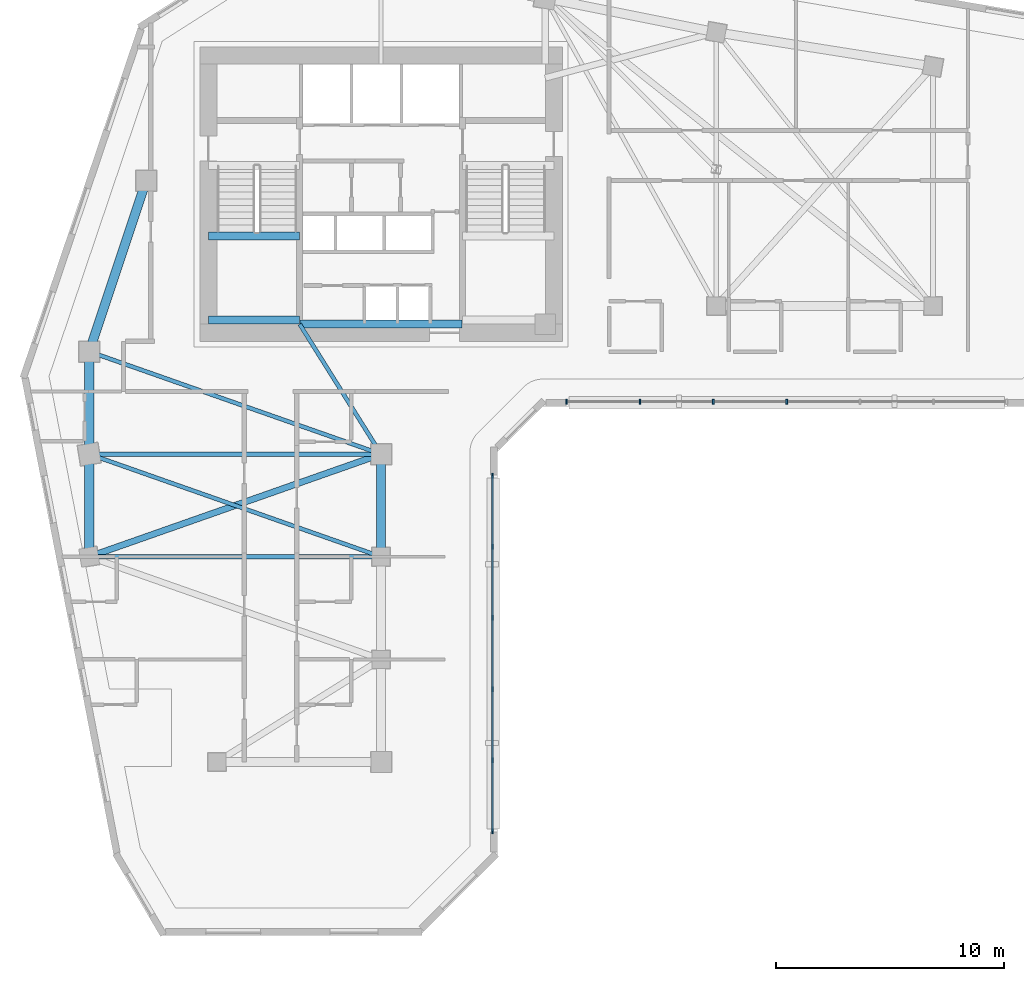
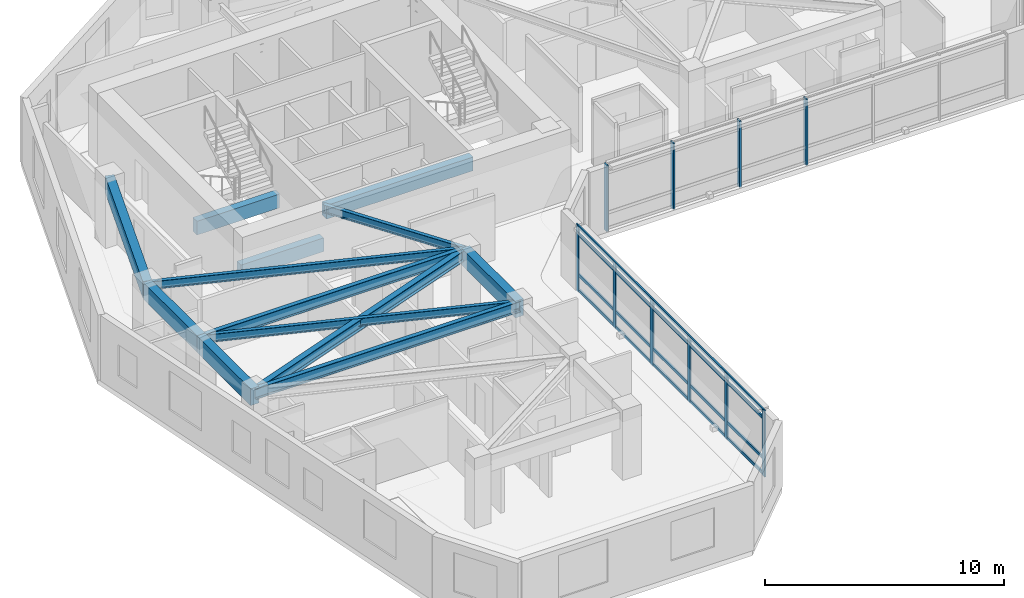
# One storey, part 2 of 14: 14 members, 13 beams, 2 elements without a shape of their own.
"""IFC4 building model written with IfcOpenShell, lengths in metres."""

from ifc_helpers import new_model, si_unit, direction, frame, origin, origin_2d, place, context, subcontext, project, spatial, rectangle, i_section, extrude, source, transform, mapped, material, material_profile, profile_set, type_object, element, aggregate, save


model = new_model("IFC4")

# Units and contexts
model_context = context("Model", 3, precision=1e-05, world=origin(), true_north=direction((0.0, 1.0)))
body_context = subcontext(model_context, "Body", "Model", "MODEL_VIEW")
ifc_project = project(units=[si_unit("LENGTHUNIT", "METRE"), si_unit("AREAUNIT", "SQUARE_METRE"), si_unit("VOLUMEUNIT", "CUBIC_METRE"), si_unit("PLANEANGLEUNIT", "RADIAN"), si_unit("MASSUNIT", "GRAM", prefix="KILO")], contexts=[model_context])

# Site, building, storey
site_placement = place(None, origin())
site = spatial("IfcSite", under=ifc_project, at=site_placement, CompositionType="ELEMENT")
building_placement = place(site_placement, origin())
building = spatial("IfcBuilding", under=site, at=building_placement, Name="Calvemar Wedge Station Tower", CompositionType="ELEMENT")
storey_placement = place(building_placement, frame((0.0, 0.0, 125.0)))
storey = spatial("IfcBuildingStorey", under=building, at=storey_placement, Name="L30", CompositionType="ELEMENT", Elevation=125.0)

# Beams
ifc_material_1 = material(Name="Concrete C60", Category="concrete")
ifc_material_profile_1 = material_profile(ifc_material_1, rectangle(XDim=0.39990234375, YDim=0.85009765625, at=origin_2d()), Name="RC400x850")
ifc_profile_set_1 = profile_set([ifc_material_profile_1], Name="Concrete C60")
beam_type_1 = type_object("IfcBeamType", Name="BM-SP1-850", PredefinedType="SPANDREL", material=ifc_profile_set_1)
shared_shape_1 = source(origin(), body_context, "Body", "SweptSolid", [
    extrude(rectangle(XDim=0.39990234375, YDim=0.85009765625, at=origin_2d()), origin(), (0.0, 0.0, 1.0), 7.90576171875),
])
beam_1_placement = place(storey_placement, frame((11.0, 33.0, 2.925048828125), z_axis=(0.316227766017, 0.948683298051, 0.0), x_axis=(-0.948683298051, 0.316227766017, 0.0)))
element("IfcBeam", 1, at=beam_1_placement, inside=storey, type_object=beam_type_1, Name="Storey L30 Spandrel T-NW1-T-NW2", PredefinedType="SPANDREL", context=body_context, shape_type="MappedRepresentation", body=[
    mapped(shared_shape_1, transform((0.0, 0.0, 0.0), scale=1.0)),
])
shared_shape_2 = source(origin(), body_context, "Body", "SweptSolid", [
    extrude(rectangle(XDim=0.39990234375, YDim=0.85009765625, at=origin_2d()), origin(), (0.0, 0.0, 1.0), 4.5),
])
for number, where, z_axis, x_axis, name in (
    (2, (11.0, 33.0, 2.925048828125), (0.0, -1.0, 0.0), (1.0, 0.0, 0.0), "Storey L30 Spandrel T-NW1-T-SW1"),
    (3, (11.0, 28.5, 2.925048828125), (0.0, -1.0, 0.0), (1.0, 0.0, 0.0), "Storey L30 Spandrel T-SW1-T-SW2"),
    (4, (23.800048828125, 28.5, 2.925048828125), (0.0, -1.0, 0.0), (1.0, 0.0, 0.0), "Storey L30 Spandrel T-SE1-T-SE2"),
):
    element("IfcBeam", number, at=place(storey_placement, frame(where, z_axis=z_axis, x_axis=x_axis)), inside=storey, type_object=beam_type_1, Name=name, PredefinedType="SPANDREL", context=body_context, shape_type="MappedRepresentation", body=[
        mapped(shared_shape_2, transform((0.0, 0.0, 0.0), scale=1.0)),
    ])
ifc_material_2 = material(Name="Structural steel ASTM A572 Grade 50", Category="steel")
ifc_material_profile_2 = material_profile(ifc_material_2, i_section(OverallWidth=0.177978515625, OverallDepth=0.406982421875, WebThickness=0.0078125, FlangeThickness=0.0126953125, FilletRadius=0.010009765625, at=origin_2d()), Name="W410x60")
ifc_profile_set_2 = profile_set([ifc_material_profile_2], Name="Structural steel ASTM A572 Grade 50")
beam_type_2 = type_object("IfcBeamType", Name="BM-J3-W410", PredefinedType="JOIST", material=ifc_profile_set_2)
shared_shape_3 = source(origin(), body_context, "Body", "SweptSolid", [
    extrude(i_section(OverallWidth=0.177978515625, OverallDepth=0.406982421875, WebThickness=0.0078125, FlangeThickness=0.0126953125, FilletRadius=0.010009765625, at=origin_2d()), origin(), (0.0, 0.0, 1.0), 13.568115234375),
])
for number, where, z_axis, x_axis, name in (
    (5, (11.0, 33.0, 3.146484375), (0.943398221169, -0.331662171939, 0.0), (0.331662171939, 0.943398221169, 0.0), "Storey L30 Floor Beam T-NW1-T-SE1"),
    (6, (11.0, 28.5, 3.146484375), (0.943398221169, -0.331662171939, 0.0), (0.331662171939, 0.943398221169, 0.0), "Storey L30 Floor Beam T-SW1-T-SE2"),
):
    element("IfcBeam", number, at=place(storey_placement, frame(where, z_axis=z_axis, x_axis=x_axis)), inside=storey, type_object=beam_type_2, Name=name, PredefinedType="JOIST", context=body_context, shape_type="MappedRepresentation", body=[
        mapped(shared_shape_3, transform((0.0, 0.0, 0.0), scale=1.0)),
    ])
ifc_material_profile_3 = material_profile(ifc_material_2, i_section(OverallWidth=0.279052734375, OverallDepth=0.553955078125, WebThickness=0.017578125, FlangeThickness=0.029541015625, FilletRadius=0.014892578125, at=origin_2d()), Name="W530x196")
ifc_profile_set_3 = profile_set([ifc_material_profile_3], Name="Structural steel ASTM A572 Grade 50")
beam_type_3 = type_object("IfcBeamType", Name="BM-SB3-W530H", PredefinedType="BEAM", material=ifc_profile_set_3)
shared_shape_4 = source(origin(), body_context, "Body", "SweptSolid", [
    extrude(i_section(OverallWidth=0.279052734375, OverallDepth=0.553955078125, WebThickness=0.017578125, FlangeThickness=0.029541015625, FilletRadius=0.014892578125, at=origin_2d()), origin(), (0.0, 0.0, 1.0), 13.568115234375),
])
beam_2_placement = place(storey_placement, frame((23.800048828125, 28.5, 3.072998046875), z_axis=(-0.943398221169, -0.331662171939, 0.0), x_axis=(0.331662171939, -0.943398221169, 0.0)))
element("IfcBeam", 7, at=beam_2_placement, inside=storey, type_object=beam_type_3, Name="Storey L30 Floor Beam T-SE1-T-SW2", PredefinedType="BEAM", context=body_context, shape_type="MappedRepresentation", body=[
    mapped(shared_shape_4, transform((0.0, 0.0, 0.0), scale=1.0)),
])
shared_shape_5 = source(origin(), body_context, "Body", "SweptSolid", [
    extrude(i_section(OverallWidth=0.177978515625, OverallDepth=0.406982421875, WebThickness=0.0078125, FlangeThickness=0.0126953125, FilletRadius=0.010009765625, at=origin_2d()), origin(), (0.0, 0.0, 1.0), 6.7255859375),
])
beam_3_placement = place(storey_placement, frame((20.22998046875, 34.199951171875, 3.146484375), z_axis=(0.530811158438, -0.847490126242, 0.0), x_axis=(0.847490126242, 0.530811158438, 0.0)))
element("IfcBeam", 8, at=beam_3_placement, inside=storey, type_object=beam_type_2, Name="Storey L30 Core-to-Column Joist CJ-S2", PredefinedType="JOIST", context=body_context, shape_type="MappedRepresentation", body=[
    mapped(shared_shape_5, transform((0.0, 0.0, 0.0), scale=1.0)),
])
ifc_material_3 = material(Name="Concrete C70", Category="concrete")
ifc_material_profile_4 = material_profile(ifc_material_3, rectangle(XDim=0.35009765625, YDim=0.699951171875, at=origin_2d()), Name="RC350x700")
ifc_profile_set_4 = profile_set([ifc_material_profile_4], Name="Concrete C70")
beam_type_4 = type_object("IfcBeamType", Name="BM-LN1-700", PredefinedType="LINTEL", material=ifc_profile_set_4)
shared_shape_6 = source(origin(), body_context, "Body", "SweptSolid", [
    extrude(rectangle(XDim=0.35009765625, YDim=0.699951171875, at=origin_2d()), origin(), (0.0, 0.0, 1.0), 7.10009765625),
])
beam_4_placement = place(storey_placement, frame((20.25, 34.199951171875, 3.0), z_axis=(1.0, 0.0, 0.0), x_axis=(0.0, 1.0, 0.0)))
element("IfcBeam", 9, at=beam_4_placement, inside=storey, type_object=beam_type_4, Name="Storey L30 Core Coupling Lintel South", PredefinedType="LINTEL", context=body_context, shape_type="MappedRepresentation", body=[
    mapped(shared_shape_6, transform((0.0, 0.0, 0.0), scale=1.0)),
])
shared_shape_7 = source(origin(), body_context, "Body", "SweptSolid", [
    extrude(rectangle(XDim=0.35009765625, YDim=0.699951171875, at=origin_2d()), origin(), (0.0, 0.0, 1.0), 4.0048828125),
])
for number, where, z_axis, x_axis, name in (
    (10, (16.22509765625, 34.3798828125, 1.25), (1.0, 0.0, 0.0), (0.0, 1.0, 0.0), "Storey L30 Stair ST-C1 Half-Landing Beam 1A"),
    (11, (16.22509765625, 38.070068359375, 1.25), (1.0, 0.0, 0.0), (0.0, 1.0, 0.0), "Storey L30 Stair ST-C1 Half-Landing Beam 1B"),
):
    element("IfcBeam", number, at=place(storey_placement, frame(where, z_axis=z_axis, x_axis=x_axis)), inside=storey, type_object=beam_type_4, Name=name, PredefinedType="LINTEL", context=body_context, shape_type="MappedRepresentation", body=[
        mapped(shared_shape_7, transform((0.0, 0.0, 0.0), scale=1.0)),
    ])
ifc_material_profile_5 = material_profile(ifc_material_2, i_section(OverallWidth=0.2109375, OverallDepth=0.5390625, WebThickness=0.01171875, FlangeThickness=0.018798828125, FilletRadius=0.012939453125, at=origin_2d()), Name="W530x109")
ifc_profile_set_5 = profile_set([ifc_material_profile_5], Name="Structural steel ASTM A572 Grade 50")
beam_type_5 = type_object("IfcBeamType", Name="BM-SB4-W530", PredefinedType="BEAM", material=ifc_profile_set_5)
shared_shape_8 = source(origin(), body_context, "Body", "SweptSolid", [
    extrude(i_section(OverallWidth=0.2109375, OverallDepth=0.5390625, WebThickness=0.01171875, FlangeThickness=0.018798828125, FilletRadius=0.012939453125, at=origin_2d()), origin(), (0.0, 0.0, 1.0), 12.800048828125),
])
for number, where, z_axis, x_axis, name in (
    (12, (11.0, 28.5, 3.08056640625), (1.0, 0.0, 0.0), (0.0, 1.0, 0.0), "Storey L30 Floor Beam T-SW1-T-SE1"),
    (13, (11.0, 24.0, 3.08056640625), (1.0, 0.0, 0.0), (0.0, 1.0, 0.0), "Storey L30 Floor Beam T-SW2-T-SE2"),
):
    element("IfcBeam", number, at=place(storey_placement, frame(where, z_axis=z_axis, x_axis=x_axis)), inside=storey, type_object=beam_type_5, Name=name, PredefinedType="BEAM", context=body_context, shape_type="MappedRepresentation", body=[
        mapped(shared_shape_8, transform((0.0, 0.0, 0.0), scale=1.0)),
    ])

# Curtain wall, members
ifc_material_4 = material(Name="Anodised aluminium 6063-T6", Category="aluminium")
curtain_wall_type = type_object("IfcCurtainWallType", Name="CW2", PredefinedType="NOTDEFINED", material=ifc_material_4)
curtain_wall_1_placement = place(storey_placement, origin())
curtain_wall_1 = element("IfcCurtainWall", 14, at=curtain_wall_1_placement, inside=storey, type_object=curtain_wall_type, Name="Storey L30 CW2 Recessed Unitised Curtain Wall 4", PredefinedType="NOTDEFINED")
ifc_material_profile_6 = material_profile(ifc_material_4, rectangle(XDim=0.074951171875, YDim=0.219970703125, at=origin_2d()), Name="AL-MUL-75x220")
ifc_profile_set_6 = profile_set([ifc_material_profile_6], Name="Anodised aluminium 6063-T6")
member_type_1 = type_object("IfcMemberType", Name="CW2-MUL", PredefinedType="MULLION", material=ifc_profile_set_6)
shared_shape_9 = source(origin(), body_context, "Body", "SweptSolid", [
    extrude(rectangle(XDim=0.074951171875, YDim=0.219970703125, at=origin_2d()), origin(), (0.0, 0.0, 1.0), 3.400146484375),
])
member_1_placement = place(storey_placement, frame((28.68603515625, 11.962158203125, -0.050048828125), z_axis=(0.0, 0.0, 1.0), x_axis=(1.0, 0.0, 0.0)))
member_1 = element("IfcMember", 15, at=member_1_placement, type_object=member_type_1, Name="CW2 mullion 1", PredefinedType="MULLION", context=body_context, shape_type="MappedRepresentation", body=[
    mapped(shared_shape_9, transform((0.0, 0.0, 0.0), scale=1.0)),
])
member_2_placement = place(storey_placement, frame((28.68603515625, 15.08056640625, -0.050048828125), z_axis=(0.0, 0.0, 1.0), x_axis=(1.0, 0.0, 0.0)))
member_2 = element("IfcMember", 16, at=member_2_placement, type_object=member_type_1, Name="CW2 mullion 2", PredefinedType="MULLION", context=body_context, shape_type="MappedRepresentation", body=[
    mapped(shared_shape_9, transform((0.0, 0.0, 0.0), scale=1.0)),
])
member_3_placement = place(storey_placement, frame((28.68603515625, 18.198974609375, -0.050048828125), z_axis=(0.0, 0.0, 1.0), x_axis=(1.0, 0.0, 0.0)))
member_3 = element("IfcMember", 17, at=member_3_placement, type_object=member_type_1, Name="CW2 mullion 3", PredefinedType="MULLION", context=body_context, shape_type="MappedRepresentation", body=[
    mapped(shared_shape_9, transform((0.0, 0.0, 0.0), scale=1.0)),
])
member_4_placement = place(storey_placement, frame((28.68603515625, 21.3173828125, -0.050048828125), z_axis=(0.0, 0.0, 1.0), x_axis=(1.0, 0.0, 0.0)))
member_4 = element("IfcMember", 18, at=member_4_placement, type_object=member_type_1, Name="CW2 mullion 4", PredefinedType="MULLION", context=body_context, shape_type="MappedRepresentation", body=[
    mapped(shared_shape_9, transform((0.0, 0.0, 0.0), scale=1.0)),
])
member_5_placement = place(storey_placement, frame((28.68603515625, 24.435791015625, -0.050048828125), z_axis=(0.0, 0.0, 1.0), x_axis=(1.0, 0.0, 0.0)))
member_5 = element("IfcMember", 19, at=member_5_placement, type_object=member_type_1, Name="CW2 mullion 5", PredefinedType="MULLION", context=body_context, shape_type="MappedRepresentation", body=[
    mapped(shared_shape_9, transform((0.0, 0.0, 0.0), scale=1.0)),
])
member_6_placement = place(storey_placement, frame((28.68603515625, 27.55419921875, -0.050048828125), z_axis=(0.0, 0.0, 1.0), x_axis=(1.0, 0.0, 0.0)))
member_6 = element("IfcMember", 20, at=member_6_placement, type_object=member_type_1, Name="CW2 mullion 6", PredefinedType="MULLION", context=body_context, shape_type="MappedRepresentation", body=[
    mapped(shared_shape_9, transform((0.0, 0.0, 0.0), scale=1.0)),
])

curtain_wall_2_placement = place(storey_placement, origin())
curtain_wall_2 = element("IfcCurtainWall", 21, at=curtain_wall_2_placement, inside=storey, type_object=curtain_wall_type, Name="Storey L30 CW2 Recessed Unitised Curtain Wall 6", PredefinedType="NOTDEFINED")
member_7_placement = place(storey_placement, frame((31.933837890625, 30.802001953125, -0.050048828125), z_axis=(0.0, 0.0, 1.0), x_axis=(1.0, 0.0, 0.0)))
member_7 = element("IfcMember", 22, at=member_7_placement, type_object=member_type_1, Name="CW2 mullion 1", PredefinedType="MULLION", context=body_context, shape_type="MappedRepresentation", body=[
    mapped(shared_shape_9, transform((0.0, 0.0, 0.0), scale=1.0)),
])
member_8_placement = place(storey_placement, frame((35.151123046875, 30.802001953125, -0.050048828125), z_axis=(0.0, 0.0, 1.0), x_axis=(1.0, 0.0, 0.0)))
member_8 = element("IfcMember", 23, at=member_8_placement, type_object=member_type_1, Name="CW2 mullion 2", PredefinedType="MULLION", context=body_context, shape_type="MappedRepresentation", body=[
    mapped(shared_shape_9, transform((0.0, 0.0, 0.0), scale=1.0)),
])
member_9_placement = place(storey_placement, frame((38.36865234375, 30.802001953125, -0.050048828125), z_axis=(0.0, 0.0, 1.0), x_axis=(1.0, 0.0, 0.0)))
member_9 = element("IfcMember", 24, at=member_9_placement, type_object=member_type_1, Name="CW2 mullion 3", PredefinedType="MULLION", context=body_context, shape_type="MappedRepresentation", body=[
    mapped(shared_shape_9, transform((0.0, 0.0, 0.0), scale=1.0)),
])
member_10_placement = place(storey_placement, frame((41.5859375, 30.802001953125, -0.050048828125), z_axis=(0.0, 0.0, 1.0), x_axis=(1.0, 0.0, 0.0)))
member_10 = element("IfcMember", 25, at=member_10_placement, type_object=member_type_1, Name="CW2 mullion 4", PredefinedType="MULLION", context=body_context, shape_type="MappedRepresentation", body=[
    mapped(shared_shape_9, transform((0.0, 0.0, 0.0), scale=1.0)),
])
aggregate(curtain_wall_2, [member_7, member_8, member_9, member_10])

# Member
ifc_material_profile_7 = material_profile(ifc_material_4, rectangle(XDim=0.074951171875, YDim=0.14990234375, at=origin_2d()), Name="AL-TRN-75x150")
ifc_profile_set_7 = profile_set([ifc_material_profile_7], Name="Anodised aluminium 6063-T6")
member_type_2 = type_object("IfcMemberType", Name="CW2-TRN", PredefinedType="USERDEFINED", material=ifc_profile_set_7)
shared_shape_10 = source(origin(), body_context, "Body", "SweptSolid", [
    extrude(rectangle(XDim=0.074951171875, YDim=0.14990234375, at=origin_2d()), origin(), (0.0, 0.0, 1.0), 15.592041015625),
])
member_11_placement = place(storey_placement, frame((28.68603515625, 11.962158203125, 0.06005859375), z_axis=(0.0, 1.0, 0.0), x_axis=(-1.0, 0.0, 0.0)))
member_11 = element("IfcMember", 26, at=member_11_placement, type_object=member_type_2, Name="CW2 transom 1", ObjectType="TRANSOM", PredefinedType="USERDEFINED", context=body_context, shape_type="MappedRepresentation", body=[
    mapped(shared_shape_10, transform((0.0, 0.0, 0.0), scale=1.0)),
])

member_12_placement = place(storey_placement, frame((28.68603515625, 11.962158203125, 0.85009765625), z_axis=(0.0, 1.0, 0.0), x_axis=(-1.0, 0.0, 0.0)))
member_12 = element("IfcMember", 27, at=member_12_placement, type_object=member_type_2, Name="CW2 transom 2", ObjectType="TRANSOM", PredefinedType="USERDEFINED", context=body_context, shape_type="MappedRepresentation", body=[
    mapped(shared_shape_10, transform((0.0, 0.0, 0.0), scale=1.0)),
])

member_13_placement = place(storey_placement, frame((28.68603515625, 11.962158203125, 2.89990234375), z_axis=(0.0, 1.0, 0.0), x_axis=(-1.0, 0.0, 0.0)))
member_13 = element("IfcMember", 28, at=member_13_placement, type_object=member_type_2, Name="CW2 transom 3", ObjectType="TRANSOM", PredefinedType="USERDEFINED", context=body_context, shape_type="MappedRepresentation", body=[
    mapped(shared_shape_10, transform((0.0, 0.0, 0.0), scale=1.0)),
])

member_14_placement = place(storey_placement, frame((28.68603515625, 11.962158203125, 3.2900390625), z_axis=(0.0, 1.0, 0.0), x_axis=(-1.0, 0.0, 0.0)))
member_14 = element("IfcMember", 29, at=member_14_placement, type_object=member_type_2, Name="CW2 transom 4", ObjectType="TRANSOM", PredefinedType="USERDEFINED", context=body_context, shape_type="MappedRepresentation", body=[
    mapped(shared_shape_10, transform((0.0, 0.0, 0.0), scale=1.0)),
])

aggregate(curtain_wall_1, [member_1, member_2, member_3, member_4, member_5, member_6, member_11, member_12, member_13, member_14])

save(model, "model.ifc")
